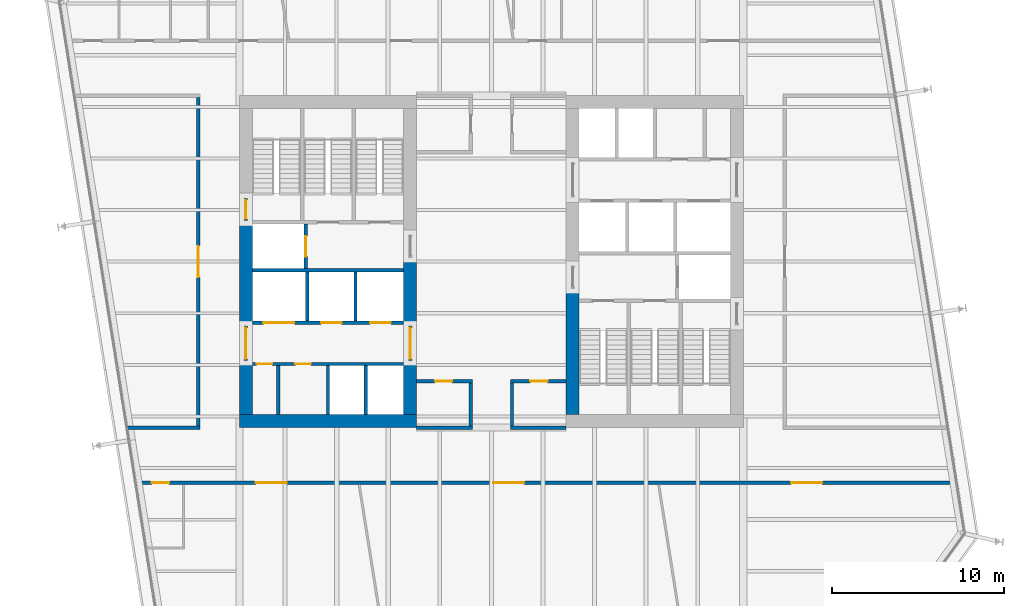
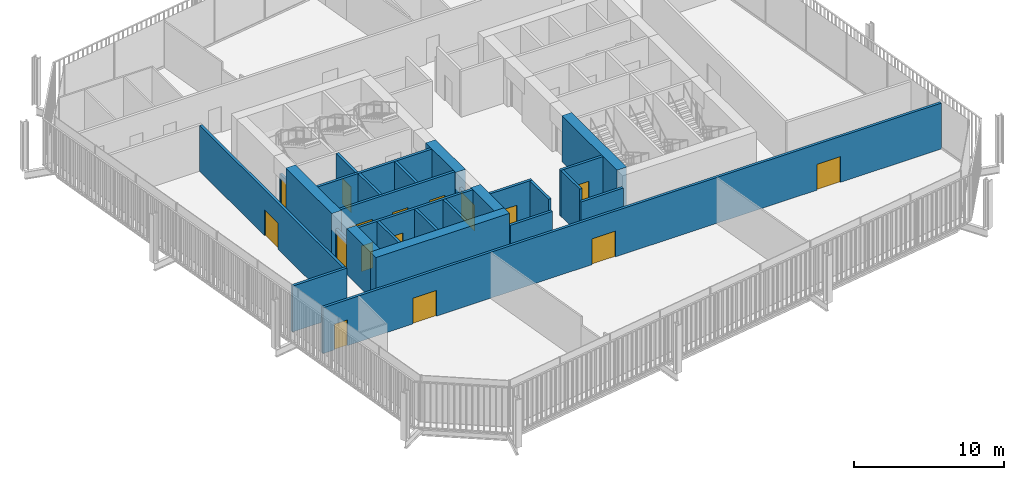
# One storey, part 17 of 21: 27 walls, 16 doors, 16 openings.
"""IFC4 building model written with IfcOpenShell, lengths in metres."""

from ifc_helpers import new_model, si_unit, direction, frame, frame_2d, origin, place, context, subcontext, project, spatial, rectangle, extrude, material, layer, layer_set, type_object, element, fill, save


model = new_model("IFC4")

# Units and contexts
model_context = context("Model", 3, precision=1e-05, world=origin(), true_north=direction((0.0, 1.0)))
body_context = subcontext(model_context, "Body", "Model", "MODEL_VIEW")
ifc_project = project(units=[si_unit("LENGTHUNIT", "METRE"), si_unit("AREAUNIT", "SQUARE_METRE"), si_unit("VOLUMEUNIT", "CUBIC_METRE"), si_unit("PLANEANGLEUNIT", "RADIAN"), si_unit("MASSUNIT", "GRAM", prefix="KILO")], contexts=[model_context])

# Site, building, storey
site_placement = place(None, origin())
site = spatial("IfcSite", under=ifc_project, at=site_placement, CompositionType="ELEMENT")
building_placement = place(site_placement, origin())
building = spatial("IfcBuilding", under=site, at=building_placement, Name="Millrace Tower", CompositionType="ELEMENT")
storey_placement = place(building_placement, frame((0.0, 0.0, 133.39990234375)))
storey = spatial("IfcBuildingStorey", under=building, at=storey_placement, Name="L29", CompositionType="ELEMENT", Elevation=133.39990234375)

# Walls
ifc_material_1 = material(Name="Concrete C70", Category="concrete")
ifc_layer_1 = layer(ifc_material_1, 0.75)
ifc_layer_set_1 = layer_set([ifc_layer_1], Name="Concrete C70")
wall_type_1 = type_object("IfcWallType", Name="Core wall 750 Concrete C70", PredefinedType="SHEAR", material=ifc_layer_set_1)
wall_1_placement = place(storey_placement, frame((-14.64990234375, -9.27490234375, 0.0), z_axis=(0.0, 0.0, 1.0), x_axis=(1.0, 0.0, 0.0)))
element("IfcWall", 1, at=wall_1_placement, inside=storey, type_object=wall_type_1, Name="Core wall W L29", PredefinedType="SHEAR", context=body_context, shape_type="SweptSolid", body=[
    extrude(rectangle(XDim=10.2998046875, YDim=0.75, at=frame_2d((5.14990234375, 0.0))), origin(), (0.0, 0.0, 1.0), 3.739990234375),
])
wall_2_placement = place(storey_placement, frame((-14.27490234375, -8.89990234375, 0.0), z_axis=(0.0, 0.0, 1.0), x_axis=(0.0, 1.0, 0.0)))
element("IfcWall", 2, at=wall_2_placement, inside=storey, type_object=wall_type_1, Name="Core wall W L29", PredefinedType="SHEAR", context=body_context, shape_type="SweptSolid", body=[
    extrude(rectangle(XDim=3.14990234375, YDim=0.75, at=frame_2d((1.574951171875, 0.0))), origin(), (0.0, 0.0, 1.0), 3.739990234375),
])
wall_3_placement = place(storey_placement, frame((-14.27490234375, -3.75, 0.0), z_axis=(0.0, 0.0, 1.0), x_axis=(0.0, 1.0, 0.0)))
element("IfcWall", 3, at=wall_3_placement, inside=storey, type_object=wall_type_1, Name="Core wall W L29", PredefinedType="SHEAR", context=body_context, shape_type="SweptSolid", body=[
    extrude(rectangle(XDim=6.1298828125, YDim=0.75, at=frame_2d((3.06494140625, 0.0))), origin(), (0.0, 0.0, 1.0), 3.739990234375),
])
wall_4_placement = place(storey_placement, frame((-4.72509765625, -8.89990234375, 0.0), z_axis=(0.0, 0.0, 1.0), x_axis=(0.0, 1.0, 0.0)))
element("IfcWall", 4, at=wall_4_placement, inside=storey, type_object=wall_type_1, Name="Core wall W L29", PredefinedType="SHEAR", context=body_context, shape_type="SweptSolid", body=[
    extrude(rectangle(XDim=3.14990234375, YDim=0.75, at=frame_2d((1.574951171875, 0.0))), origin(), (0.0, 0.0, 1.0), 3.739990234375),
])
wall_5_placement = place(storey_placement, frame((-4.72509765625, -3.75, 0.0), z_axis=(0.0, 0.0, 1.0), x_axis=(0.0, 1.0, 0.0)))
element("IfcWall", 5, at=wall_5_placement, inside=storey, type_object=wall_type_1, Name="Core wall W L29", PredefinedType="SHEAR", context=body_context, shape_type="SweptSolid", body=[
    extrude(rectangle(XDim=4.0, YDim=0.75, at=frame_2d((2.0, 0.0))), origin(), (0.0, 0.0, 1.0), 3.739990234375),
])
wall_6_placement = place(storey_placement, frame((4.72509765625, -1.550048828125, 0.0), z_axis=(0.0, 0.0, 1.0), x_axis=(0.0, -1.0, 0.0)))
element("IfcWall", 6, at=wall_6_placement, inside=storey, type_object=wall_type_1, Name="Core wall E L29", PredefinedType="SHEAR", context=body_context, shape_type="SweptSolid", body=[
    extrude(rectangle(XDim=7.349853515625, YDim=0.75, at=frame_2d((3.6748046875, 0.0))), origin(), (0.0, 0.0, 1.0), 3.739990234375),
])

# Wall, openings, doors
ifc_material_2 = material(Name="Masonry partition, fire-rated", Category="masonry")
ifc_layer_2 = layer(ifc_material_2, 0.199951171875)
ifc_layer_set_2 = layer_set([ifc_layer_2], Name="Masonry partition, fire-rated")
wall_type_2 = type_object("IfcWallType", Name="Corridor wall 200", PredefinedType="PARTITIONING", material=ifc_layer_set_2)
wall_7_placement = place(storey_placement, frame((-20.6435546875, -12.85009765625, 0.0), z_axis=(0.0, 0.0, 1.0), x_axis=(1.0, 0.0, 0.0)))
wall_7 = element("IfcWall", 7, at=wall_7_placement, inside=storey, type_object=wall_type_2, Name="Corridor wall L29", PredefinedType="PARTITIONING", context=body_context, shape_type="SweptSolid", body=[
    extrude(rectangle(XDim=47.646728515625, YDim=0.199951171875, at=frame_2d((23.8232421875, 0.0))), origin(), (0.0, 0.0, 1.0), 3.739990234375),
])
opening_1_placement = place(wall_7_placement, frame((6.945068359375, 0.0, 0.0)))
opening_1 = element("IfcOpeningElement", 8, at=opening_1_placement, cuts=wall_7, Name="Opening 29-P013", PredefinedType="OPENING", context=body_context, shape_type="SweptSolid", body=[
    extrude(rectangle(XDim=1.800048828125, YDim=2.10009765625, at=frame_2d((0.89990234375, 1.050048828125))), frame((0.0, 0.10986328125, 0.0), z_axis=(0.0, -1.0, 0.0), x_axis=(1.0, 0.0, 0.0)), (0.0, 0.0, 1.0), 0.219970703125),
])
opening_2_placement = place(wall_7_placement, frame((0.900390625, 0.0, 0.0)))
opening_2 = element("IfcOpeningElement", 9, at=opening_2_placement, cuts=wall_7, Name="Opening 29-P014", PredefinedType="OPENING", context=body_context, shape_type="SweptSolid", body=[
    extrude(rectangle(XDim=1.0, YDim=2.10009765625, at=frame_2d((0.5, 1.050048828125))), frame((0.0, 0.10986328125, 0.0), z_axis=(0.0, -1.0, 0.0), x_axis=(1.0, 0.0, 0.0)), (0.0, 0.0, 1.0), 0.219970703125),
])
opening_3_placement = place(wall_7_placement, frame((20.74658203125, 0.0, 0.0)))
opening_3 = element("IfcOpeningElement", 10, at=opening_3_placement, cuts=wall_7, Name="Opening 29-P015", PredefinedType="OPENING", context=body_context, shape_type="SweptSolid", body=[
    extrude(rectangle(XDim=1.800048828125, YDim=2.10009765625, at=frame_2d((0.89990234375, 1.050048828125))), frame((0.0, 0.10986328125, 0.0), z_axis=(0.0, -1.0, 0.0), x_axis=(1.0, 0.0, 0.0)), (0.0, 0.0, 1.0), 0.219970703125),
])
opening_4_placement = place(wall_7_placement, frame((38.074462890625, 0.0, 0.0)))
opening_4 = element("IfcOpeningElement", 11, at=opening_4_placement, cuts=wall_7, Name="Opening 29-P016", PredefinedType="OPENING", context=body_context, shape_type="SweptSolid", body=[
    extrude(rectangle(XDim=1.800048828125, YDim=2.10009765625, at=frame_2d((0.89990234375, 1.050048828125))), frame((0.0, 0.10986328125, 0.0), z_axis=(0.0, -1.0, 0.0), x_axis=(1.0, 0.0, 0.0)), (0.0, 0.0, 1.0), 0.219970703125),
])
ifc_material_3 = material(Name="Steel door set, fire-rated", Category="steel")
door_type_1 = type_object("IfcDoorType", Name="Corridor door 1000 x 2100", OperationType="SINGLE_SWING_LEFT", PredefinedType="DOOR", material=ifc_material_3)
door_1_placement = place(opening_2_placement, frame((1.0, 0.0, 0.0), z_axis=(0.0, 0.0, 1.0), x_axis=(-1.0, 0.0, 0.0)))
door_1 = element("IfcDoor", 12, at=door_1_placement, inside=storey, type_object=door_type_1, Name="Door 29-P014", OperationType="SINGLE_SWING_RIGHT", OverallHeight=2.10009765625, OverallWidth=1.0, PredefinedType="DOOR", context=body_context, shape_type="SweptSolid", body=[
    extrude(rectangle(XDim=1.0, YDim=2.10009765625, at=frame_2d((0.5, 1.050048828125))), frame((0.0, 0.02490234375, 0.0), z_axis=(0.0, -1.0, 0.0), x_axis=(1.0, 0.0, 0.0)), (0.0, 0.0, 1.0), 0.050048828125),
])
fill(opening_2, door_1)
ifc_material_4 = material(Name="Steel door set, fire-rated", Category="steel")
door_type_2 = type_object("IfcDoorType", Name="Corridor door 1800 x 2100", OperationType="DOUBLE_DOOR_SINGLE_SWING", PredefinedType="DOOR", material=ifc_material_4)
door_2_placement = place(opening_1_placement, origin())
door_2 = element("IfcDoor", 13, at=door_2_placement, inside=storey, type_object=door_type_2, Name="Door 29-P013", OperationType="DOUBLE_DOOR_SINGLE_SWING", OverallHeight=2.10009765625, OverallWidth=1.800048828125, PredefinedType="DOOR", context=body_context, shape_type="SweptSolid", body=[
    extrude(rectangle(XDim=1.800048828125, YDim=2.10009765625, at=frame_2d((0.89990234375, 1.050048828125))), frame((0.0, 0.02490234375, 0.0), z_axis=(0.0, -1.0, 0.0), x_axis=(1.0, 0.0, 0.0)), (0.0, 0.0, 1.0), 0.050048828125),
])
fill(opening_1, door_2)
door_3_placement = place(opening_3_placement, origin())
door_3 = element("IfcDoor", 14, at=door_3_placement, inside=storey, type_object=door_type_2, Name="Door 29-P015", OperationType="DOUBLE_DOOR_SINGLE_SWING", OverallHeight=2.10009765625, OverallWidth=1.800048828125, PredefinedType="DOOR", context=body_context, shape_type="SweptSolid", body=[
    extrude(rectangle(XDim=1.800048828125, YDim=2.10009765625, at=frame_2d((0.89990234375, 1.050048828125))), frame((0.0, 0.02490234375, 0.0), z_axis=(0.0, -1.0, 0.0), x_axis=(1.0, 0.0, 0.0)), (0.0, 0.0, 1.0), 0.050048828125),
])
fill(opening_3, door_3)
door_4_placement = place(opening_4_placement, frame((1.800048828125, 0.0, 0.0), z_axis=(0.0, 0.0, 1.0), x_axis=(-1.0, 0.0, 0.0)))
door_4 = element("IfcDoor", 15, at=door_4_placement, inside=storey, type_object=door_type_2, Name="Door 29-P016", OperationType="DOUBLE_DOOR_SINGLE_SWING", OverallHeight=2.10009765625, OverallWidth=1.800048828125, PredefinedType="DOOR", context=body_context, shape_type="SweptSolid", body=[
    extrude(rectangle(XDim=1.800048828125, YDim=2.10009765625, at=frame_2d((0.89990234375, 1.050048828125))), frame((0.0, 0.02490234375, 0.0), z_axis=(0.0, -1.0, 0.0), x_axis=(1.0, 0.0, 0.0)), (0.0, 0.0, 1.0), 0.050048828125),
])
fill(opening_4, door_4)

# Walls
wall_8_placement = place(storey_placement, frame((-21.150390625, -9.64990234375, 0.0), z_axis=(0.0, 0.0, 1.0), x_axis=(1.0, 0.0, 0.0)))
element("IfcWall", 16, at=wall_8_placement, inside=storey, type_object=wall_type_2, Name="Corridor wall L29", PredefinedType="PARTITIONING", context=body_context, shape_type="SweptSolid", body=[
    extrude(rectangle(XDim=4.200439453125, YDim=0.199951171875, at=frame_2d((2.10009765625, 0.0))), origin(), (0.0, 0.0, 1.0), 3.739990234375),
])
for number, where, z_axis, x_axis, name in (
    (17, (-4.35009765625, -9.64990234375, 0.0), (0.0, 0.0, 1.0), (1.0, 0.0, 0.0), "Corridor wall L29"),
    (18, (1.10009765625, -9.64990234375, 0.0), (0.0, 0.0, 1.0), (1.0, 0.0, 0.0), "Corridor wall L29"),
):
    element("IfcWall", number, at=place(storey_placement, frame(where, z_axis=z_axis, x_axis=x_axis)), inside=storey, type_object=wall_type_2, Name=name, PredefinedType="PARTITIONING", context=body_context, shape_type="SweptSolid", body=[
        extrude(rectangle(XDim=3.25, YDim=0.199951171875, at=frame_2d((1.625, 0.0))), origin(), (0.0, 0.0, 1.0), 2.81298828125),
    ])

# Wall, opening, door
wall_9_placement = place(storey_placement, frame((-4.35009765625, -6.949951171875, 0.0), z_axis=(0.0, 0.0, 1.0), x_axis=(1.0, 0.0, 0.0)))
wall_9 = element("IfcWall", 19, at=wall_9_placement, inside=storey, type_object=wall_type_2, Name="Corridor wall L29", PredefinedType="PARTITIONING", context=body_context, shape_type="SweptSolid", body=[
    extrude(rectangle(XDim=3.25, YDim=0.199951171875, at=frame_2d((1.625, 0.0))), origin(), (0.0, 0.0, 1.0), 3.739990234375),
])
opening_5_placement = place(wall_9_placement, frame((1.074951171875, 0.0, 0.0)))
opening_5 = element("IfcOpeningElement", 20, at=opening_5_placement, cuts=wall_9, Name="Opening 29-P003", PredefinedType="OPENING", context=body_context, shape_type="SweptSolid", body=[
    extrude(rectangle(XDim=1.0, YDim=2.10009765625, at=frame_2d((0.5, 1.050048828125))), frame((0.0, 0.10986328125, 0.0), z_axis=(0.0, -1.0, 0.0), x_axis=(1.0, 0.0, 0.0)), (0.0, 0.0, 1.0), 0.219970703125),
])
door_5_placement = place(opening_5_placement, frame((1.0, 0.0, 0.0), z_axis=(0.0, 0.0, 1.0), x_axis=(-1.0, 0.0, 0.0)))
door_5 = element("IfcDoor", 21, at=door_5_placement, inside=storey, type_object=door_type_1, Name="Door 29-P003", OperationType="SINGLE_SWING_RIGHT", OverallHeight=2.10009765625, OverallWidth=1.0, PredefinedType="DOOR", context=body_context, shape_type="SweptSolid", body=[
    extrude(rectangle(XDim=1.0, YDim=2.10009765625, at=frame_2d((0.5, 1.050048828125))), frame((0.0, 0.02490234375, 0.0), z_axis=(0.0, -1.0, 0.0), x_axis=(1.0, 0.0, 0.0)), (0.0, 0.0, 1.0), 0.050048828125),
])
fill(opening_5, door_5)

wall_10_placement = place(storey_placement, frame((1.10009765625, -6.949951171875, 0.0), z_axis=(0.0, 0.0, 1.0), x_axis=(1.0, 0.0, 0.0)))
wall_10 = element("IfcWall", 22, at=wall_10_placement, inside=storey, type_object=wall_type_2, Name="Corridor wall L29", PredefinedType="PARTITIONING", context=body_context, shape_type="SweptSolid", body=[
    extrude(rectangle(XDim=3.25, YDim=0.199951171875, at=frame_2d((1.625, 0.0))), origin(), (0.0, 0.0, 1.0), 3.739990234375),
])
opening_6_placement = place(wall_10_placement, frame((1.175048828125, 0.0, 0.0)))
opening_6 = element("IfcOpeningElement", 23, at=opening_6_placement, cuts=wall_10, Name="Opening 29-P004", PredefinedType="OPENING", context=body_context, shape_type="SweptSolid", body=[
    extrude(rectangle(XDim=1.0, YDim=2.10009765625, at=frame_2d((0.5, 1.050048828125))), frame((0.0, 0.10986328125, 0.0), z_axis=(0.0, -1.0, 0.0), x_axis=(1.0, 0.0, 0.0)), (0.0, 0.0, 1.0), 0.219970703125),
])
door_6_placement = place(opening_6_placement, frame((1.0, 0.0, 0.0), z_axis=(0.0, 0.0, 1.0), x_axis=(-1.0, 0.0, 0.0)))
door_6 = element("IfcDoor", 24, at=door_6_placement, inside=storey, type_object=door_type_1, Name="Door 29-P004", OperationType="SINGLE_SWING_RIGHT", OverallHeight=2.10009765625, OverallWidth=1.0, PredefinedType="DOOR", context=body_context, shape_type="SweptSolid", body=[
    extrude(rectangle(XDim=1.0, YDim=2.10009765625, at=frame_2d((0.5, 1.050048828125))), frame((0.0, 0.02490234375, 0.0), z_axis=(0.0, -1.0, 0.0), x_axis=(1.0, 0.0, 0.0)), (0.0, 0.0, 1.0), 0.050048828125),
])
fill(opening_6, door_6)

# Walls
for number, where, z_axis, x_axis, name in (
    (25, (1.199951171875, -9.550048828125, 0.0), (0.0, 0.0, 1.0), (0.0, 1.0, 0.0), "Corridor wall L29"),
    (26, (-1.199951171875, -9.550048828125, 0.0), (0.0, 0.0, 1.0), (0.0, 1.0, 0.0), "Corridor wall L29"),
):
    element("IfcWall", number, at=place(storey_placement, frame(where, z_axis=z_axis, x_axis=x_axis)), inside=storey, type_object=wall_type_2, Name=name, PredefinedType="PARTITIONING", context=body_context, shape_type="SweptSolid", body=[
        extrude(rectangle(XDim=2.5, YDim=0.199951171875, at=frame_2d((1.25, 0.0))), origin(), (0.0, 0.0, 1.0), 3.739990234375),
    ])

# Wall, opening, door
wall_11_placement = place(storey_placement, frame((-17.050048828125, -9.550048828125, 0.0), z_axis=(0.0, 0.0, 1.0), x_axis=(0.0, 1.0, 0.0)))
wall_11 = element("IfcWall", 27, at=wall_11_placement, inside=storey, type_object=wall_type_2, Name="Corridor wall L29", PredefinedType="PARTITIONING", context=body_context, shape_type="SweptSolid", body=[
    extrude(rectangle(XDim=19.10009765625, YDim=0.199951171875, at=frame_2d((9.550048828125, 0.0))), origin(), (0.0, 0.0, 1.0), 3.739990234375),
])
opening_7_placement = place(wall_11_placement, frame((8.64990234375, 0.0, 0.0)))
opening_7 = element("IfcOpeningElement", 28, at=opening_7_placement, cuts=wall_11, Name="Opening 29-P017", PredefinedType="OPENING", context=body_context, shape_type="SweptSolid", body=[
    extrude(rectangle(XDim=1.800048828125, YDim=2.10009765625, at=frame_2d((0.89990234375, 1.050048828125))), frame((0.0, 0.10986328125, 0.0), z_axis=(0.0, -1.0, 0.0), x_axis=(1.0, 0.0, 0.0)), (0.0, 0.0, 1.0), 0.219970703125),
])
door_7_placement = place(opening_7_placement, origin())
door_7 = element("IfcDoor", 29, at=door_7_placement, inside=storey, type_object=door_type_2, Name="Door 29-P017", OperationType="DOUBLE_DOOR_SINGLE_SWING", OverallHeight=2.10009765625, OverallWidth=1.800048828125, PredefinedType="DOOR", context=body_context, shape_type="SweptSolid", body=[
    extrude(rectangle(XDim=1.800048828125, YDim=2.10009765625, at=frame_2d((0.89990234375, 1.050048828125))), frame((0.0, 0.02490234375, 0.0), z_axis=(0.0, -1.0, 0.0), x_axis=(1.0, 0.0, 0.0)), (0.0, 0.0, 1.0), 0.050048828125),
])
fill(opening_7, door_7)

# Wall, openings, doors
ifc_material_5 = material(Name="Masonry partition, fire-rated", Category="masonry")
ifc_layer_3 = layer(ifc_material_5, 0.199951171875)
ifc_layer_set_3 = layer_set([ifc_layer_3], Name="Masonry partition, fire-rated")
wall_type_3 = type_object("IfcWallType", Name="Lift shaft wall 200", PredefinedType="PARTITIONING", material=ifc_layer_set_3)
wall_12_placement = place(storey_placement, frame((-13.89990234375, -5.949951171875, 0.0), z_axis=(0.0, 0.0, 1.0), x_axis=(1.0, 0.0, 0.0)))
wall_12 = element("IfcWall", 30, at=wall_12_placement, inside=storey, type_object=wall_type_3, Name="Lift shaft wall W L29", PredefinedType="PARTITIONING", context=body_context, shape_type="SweptSolid", body=[
    extrude(rectangle(XDim=8.7998046875, YDim=0.199951171875, at=frame_2d((4.39990234375, 0.0))), origin(), (0.0, 0.0, 1.0), 3.739990234375),
])
opening_8_placement = place(wall_12_placement, frame((0.25244140625, 0.0, 0.0)))
opening_8 = element("IfcOpeningElement", 31, at=opening_8_placement, cuts=wall_12, Name="Opening 29-C005", PredefinedType="OPENING", context=body_context, shape_type="SweptSolid", body=[
    extrude(rectangle(XDim=0.89990234375, YDim=2.10009765625, at=frame_2d((0.449951171875, 1.050048828125))), frame((0.0, 0.10986328125, 0.0), z_axis=(0.0, -1.0, 0.0), x_axis=(1.0, 0.0, 0.0)), (0.0, 0.0, 1.0), 0.219970703125),
])
opening_9_placement = place(wall_12_placement, frame((2.50244140625, 0.0, 0.0)))
opening_9 = element("IfcOpeningElement", 32, at=opening_9_placement, cuts=wall_12, Name="Opening 29-C006", PredefinedType="OPENING", context=body_context, shape_type="SweptSolid", body=[
    extrude(rectangle(XDim=0.89990234375, YDim=2.10009765625, at=frame_2d((0.449951171875, 1.050048828125))), frame((0.0, 0.10986328125, 0.0), z_axis=(0.0, -1.0, 0.0), x_axis=(1.0, 0.0, 0.0)), (0.0, 0.0, 1.0), 0.219970703125),
])
ifc_material_6 = material(Name="Steel door, fire-rated", Category="steel")
door_type_3 = type_object("IfcDoorType", Name="Service room door 900 x 2100", OperationType="SINGLE_SWING_LEFT", PredefinedType="DOOR", material=ifc_material_6)
door_8_placement = place(opening_8_placement, frame((0.89990234375, 0.0, 0.0), z_axis=(0.0, 0.0, 1.0), x_axis=(-1.0, 0.0, 0.0)))
door_8 = element("IfcDoor", 33, at=door_8_placement, inside=storey, type_object=door_type_3, Name="Service room door 29-C005", OperationType="SINGLE_SWING_RIGHT", OverallHeight=2.10009765625, OverallWidth=0.89990234375, PredefinedType="DOOR", context=body_context, shape_type="SweptSolid", body=[
    extrude(rectangle(XDim=0.89990234375, YDim=2.10009765625, at=frame_2d((0.449951171875, 1.050048828125))), frame((0.0, 0.02490234375, 0.0), z_axis=(0.0, -1.0, 0.0), x_axis=(1.0, 0.0, 0.0)), (0.0, 0.0, 1.0), 0.050048828125),
])
fill(opening_8, door_8)
door_9_placement = place(opening_9_placement, frame((0.89990234375, 0.0, 0.0), z_axis=(0.0, 0.0, 1.0), x_axis=(-1.0, 0.0, 0.0)))
door_9 = element("IfcDoor", 34, at=door_9_placement, inside=storey, type_object=door_type_3, Name="Service room door 29-C006", OperationType="SINGLE_SWING_RIGHT", OverallHeight=2.10009765625, OverallWidth=0.89990234375, PredefinedType="DOOR", context=body_context, shape_type="SweptSolid", body=[
    extrude(rectangle(XDim=0.89990234375, YDim=2.10009765625, at=frame_2d((0.449951171875, 1.050048828125))), frame((0.0, 0.02490234375, 0.0), z_axis=(0.0, -1.0, 0.0), x_axis=(1.0, 0.0, 0.0)), (0.0, 0.0, 1.0), 0.050048828125),
])
fill(opening_9, door_9)

wall_13_placement = place(storey_placement, frame((-13.89990234375, -3.550048828125, 0.0), z_axis=(0.0, 0.0, 1.0), x_axis=(1.0, 0.0, 0.0)))
wall_13 = element("IfcWall", 35, at=wall_13_placement, inside=storey, type_object=wall_type_3, Name="Lift shaft wall W L29", PredefinedType="PARTITIONING", context=body_context, shape_type="SweptSolid", body=[
    extrude(rectangle(XDim=8.7998046875, YDim=0.199951171875, at=frame_2d((4.39990234375, 0.0))), origin(), (0.0, 0.0, 1.0), 3.739990234375),
])
opening_10_placement = place(wall_13_placement, frame((0.64990234375, 0.0, 0.0)))
opening_10 = element("IfcOpeningElement", 36, at=opening_10_placement, cuts=wall_13, Name="Opening 29-LD05", PredefinedType="OPENING", context=body_context, shape_type="SweptSolid", body=[
    extrude(rectangle(XDim=1.800048828125, YDim=2.10009765625, at=frame_2d((0.89990234375, 1.050048828125))), frame((0.0, 0.10986328125, 0.0), z_axis=(0.0, -1.0, 0.0), x_axis=(1.0, 0.0, 0.0)), (0.0, 0.0, 1.0), 0.219970703125),
])
opening_11_placement = place(wall_13_placement, frame((4.0, 0.0, 0.0)))
opening_11 = element("IfcOpeningElement", 37, at=opening_11_placement, cuts=wall_13, Name="Opening 29-LD06", PredefinedType="OPENING", context=body_context, shape_type="SweptSolid", body=[
    extrude(rectangle(XDim=1.199951171875, YDim=2.10009765625, at=frame_2d((0.60009765625, 1.050048828125))), frame((0.0, 0.10986328125, 0.0), z_axis=(0.0, -1.0, 0.0), x_axis=(1.0, 0.0, 0.0)), (0.0, 0.0, 1.0), 0.219970703125),
])
opening_12_placement = place(wall_13_placement, frame((6.85009765625, 0.0, 0.0)))
opening_12 = element("IfcOpeningElement", 38, at=opening_12_placement, cuts=wall_13, Name="Opening 29-LD07", PredefinedType="OPENING", context=body_context, shape_type="SweptSolid", body=[
    extrude(rectangle(XDim=1.199951171875, YDim=2.10009765625, at=frame_2d((0.60009765625, 1.050048828125))), frame((0.0, 0.10986328125, 0.0), z_axis=(0.0, -1.0, 0.0), x_axis=(1.0, 0.0, 0.0)), (0.0, 0.0, 1.0), 0.219970703125),
])
ifc_material_7 = material(Name="Stainless steel, fire-rated", Category="steel")
door_type_4 = type_object("IfcDoorType", Name="Lift landing door 1200 x 2100", OperationType="DOUBLE_DOOR_SLIDING", PredefinedType="DOOR", material=ifc_material_7)
door_10_placement = place(opening_11_placement, origin())
door_10 = element("IfcDoor", 39, at=door_10_placement, inside=storey, type_object=door_type_4, Name="Lift landing door LF6 L29", OperationType="DOUBLE_DOOR_SLIDING", OverallHeight=2.10009765625, OverallWidth=1.199951171875, PredefinedType="DOOR", context=body_context, shape_type="SweptSolid", body=[
    extrude(rectangle(XDim=1.199951171875, YDim=2.10009765625, at=frame_2d((0.60009765625, 1.050048828125))), frame((0.0, 0.02490234375, 0.0), z_axis=(0.0, -1.0, 0.0), x_axis=(1.0, 0.0, 0.0)), (0.0, 0.0, 1.0), 0.050048828125),
])
fill(opening_11, door_10)
door_11_placement = place(opening_12_placement, origin())
door_11 = element("IfcDoor", 40, at=door_11_placement, inside=storey, type_object=door_type_4, Name="Lift landing door LF7 L29", OperationType="DOUBLE_DOOR_SLIDING", OverallHeight=2.10009765625, OverallWidth=1.199951171875, PredefinedType="DOOR", context=body_context, shape_type="SweptSolid", body=[
    extrude(rectangle(XDim=1.199951171875, YDim=2.10009765625, at=frame_2d((0.60009765625, 1.050048828125))), frame((0.0, 0.02490234375, 0.0), z_axis=(0.0, -1.0, 0.0), x_axis=(1.0, 0.0, 0.0)), (0.0, 0.0, 1.0), 0.050048828125),
])
fill(opening_12, door_11)
ifc_material_8 = material(Name="Stainless steel, fire-rated", Category="steel")
door_type_5 = type_object("IfcDoorType", Name="Lift landing door 1800 x 2100", OperationType="DOUBLE_DOOR_SLIDING", PredefinedType="DOOR", material=ifc_material_8)
door_12_placement = place(opening_10_placement, origin())
door_12 = element("IfcDoor", 41, at=door_12_placement, inside=storey, type_object=door_type_5, Name="Lift landing door LF5 L29", OperationType="DOUBLE_DOOR_SLIDING", OverallHeight=2.10009765625, OverallWidth=1.800048828125, PredefinedType="DOOR", context=body_context, shape_type="SweptSolid", body=[
    extrude(rectangle(XDim=1.800048828125, YDim=2.10009765625, at=frame_2d((0.89990234375, 1.050048828125))), frame((0.0, 0.02490234375, 0.0), z_axis=(0.0, -1.0, 0.0), x_axis=(1.0, 0.0, 0.0)), (0.0, 0.0, 1.0), 0.050048828125),
])
fill(opening_10, door_12)

# Wall
wall_14_placement = place(storey_placement, frame((-13.89990234375, -0.5, 0.0), z_axis=(0.0, 0.0, 1.0), x_axis=(1.0, 0.0, 0.0)))
element("IfcWall", 42, at=wall_14_placement, inside=storey, type_object=wall_type_3, Name="Lift shaft wall W L29", PredefinedType="PARTITIONING", context=body_context, shape_type="SweptSolid", body=[
    extrude(rectangle(XDim=8.7998046875, YDim=0.199951171875, at=frame_2d((4.39990234375, 0.0))), origin(), (0.0, 0.0, 1.0), 3.739990234375),
])

# Wall, opening, door
wall_15_placement = place(storey_placement, frame((-10.800048828125, -0.39990234375, 0.0), z_axis=(0.0, 0.0, 1.0), x_axis=(0.0, 1.0, 0.0)))
wall_15 = element("IfcWall", 43, at=wall_15_placement, inside=storey, type_object=wall_type_3, Name="Lift shaft wall W L29", PredefinedType="PARTITIONING", context=body_context, shape_type="SweptSolid", body=[
    extrude(rectangle(XDim=2.579833984375, YDim=0.199951171875, at=frame_2d((1.2900390625, 0.0))), origin(), (0.0, 0.0, 1.0), 3.739990234375),
])
opening_13_placement = place(wall_15_placement, frame((0.68994140625, 0.0, 0.0)))
opening_13 = element("IfcOpeningElement", 44, at=opening_13_placement, cuts=wall_15, Name="Opening 29-LD08", PredefinedType="OPENING", context=body_context, shape_type="SweptSolid", body=[
    extrude(rectangle(XDim=1.199951171875, YDim=2.10009765625, at=frame_2d((0.60009765625, 1.050048828125))), frame((0.0, 0.10986328125, 0.0), z_axis=(0.0, -1.0, 0.0), x_axis=(1.0, 0.0, 0.0)), (0.0, 0.0, 1.0), 0.219970703125),
])
door_13_placement = place(opening_13_placement, origin())
door_13 = element("IfcDoor", 45, at=door_13_placement, inside=storey, type_object=door_type_4, Name="Lift landing door LF8 L29", OperationType="DOUBLE_DOOR_SLIDING", OverallHeight=2.10009765625, OverallWidth=1.199951171875, PredefinedType="DOOR", context=body_context, shape_type="SweptSolid", body=[
    extrude(rectangle(XDim=1.199951171875, YDim=2.10009765625, at=frame_2d((0.60009765625, 1.050048828125))), frame((0.0, 0.02490234375, 0.0), z_axis=(0.0, -1.0, 0.0), x_axis=(1.0, 0.0, 0.0)), (0.0, 0.0, 1.0), 0.050048828125),
])
fill(opening_13, door_13)

# Walls
for number, where, z_axis, x_axis, name in (
    (46, (-9.5, -8.89990234375, 0.0), (0.0, 0.0, 1.0), (0.0, 1.0, 0.0), "Lift shaft wall W L29"),
    (47, (-7.300048828125, -8.89990234375, 0.0), (0.0, 0.0, 1.0), (0.0, 1.0, 0.0), "Lift shaft wall W L29"),
    (48, (-10.699951171875, -3.449951171875, 0.0), (0.0, 0.0, 1.0), (0.0, 1.0, 0.0), "Lift shaft wall W L29"),
    (49, (-7.89990234375, -3.449951171875, 0.0), (0.0, 0.0, 1.0), (0.0, 1.0, 0.0), "Lift shaft wall W L29"),
):
    element("IfcWall", number, at=place(storey_placement, frame(where, z_axis=z_axis, x_axis=x_axis)), inside=storey, type_object=wall_type_3, Name=name, PredefinedType="PARTITIONING", context=body_context, shape_type="SweptSolid", body=[
        extrude(rectangle(XDim=2.849853515625, YDim=0.199951171875, at=frame_2d((1.4248046875, 0.0))), origin(), (0.0, 0.0, 1.0), 3.739990234375),
    ])

# Wall, opening, door
ifc_material_9 = material(Name="Masonry partition, fire-rated", Category="masonry")
ifc_layer_4 = layer(ifc_material_9, 0.199951171875)
ifc_layer_set_4 = layer_set([ifc_layer_4], Name="Masonry partition, fire-rated")
wall_type_4 = type_object("IfcWallType", Name="Lobby wall 200", PredefinedType="PARTITIONING", material=ifc_layer_set_4)
wall_16_placement = place(storey_placement, frame((-14.27490234375, -5.75, 0.0), z_axis=(0.0, 0.0, 1.0), x_axis=(0.0, 1.0, 0.0)))
wall_16 = element("IfcWall", 50, at=wall_16_placement, inside=storey, type_object=wall_type_4, Name="Lobby wall W L29", PredefinedType="PARTITIONING", context=body_context, shape_type="SweptSolid", body=[
    extrude(rectangle(XDim=2.0, YDim=0.199951171875, at=frame_2d((1.0, 0.0))), origin(), (0.0, 0.0, 1.0), 2.400146484375),
])
opening_14_placement = place(wall_16_placement, frame((0.10009765625, 0.0, 0.0)))
opening_14 = element("IfcOpeningElement", 51, at=opening_14_placement, cuts=wall_16, Name="Opening 29-C001", PredefinedType="OPENING", context=body_context, shape_type="SweptSolid", body=[
    extrude(rectangle(XDim=1.800048828125, YDim=2.10009765625, at=frame_2d((0.89990234375, 1.050048828125))), frame((0.0, 0.10986328125, 0.0), z_axis=(0.0, -1.0, 0.0), x_axis=(1.0, 0.0, 0.0)), (0.0, 0.0, 1.0), 0.219970703125),
])
ifc_material_10 = material(Name="Steel door, fire-rated", Category="steel")
door_type_6 = type_object("IfcDoorType", Name="Lobby door 1800 x 2100", OperationType="DOUBLE_DOOR_SINGLE_SWING", PredefinedType="DOOR", material=ifc_material_10)
door_14_placement = place(opening_14_placement, origin())
door_14 = element("IfcDoor", 52, at=door_14_placement, inside=storey, type_object=door_type_6, Name="Lobby door 29-C001", OperationType="DOUBLE_DOOR_SINGLE_SWING", OverallHeight=2.10009765625, OverallWidth=1.800048828125, PredefinedType="DOOR", context=body_context, shape_type="SweptSolid", body=[
    extrude(rectangle(XDim=1.800048828125, YDim=2.10009765625, at=frame_2d((0.89990234375, 1.050048828125))), frame((0.0, 0.02490234375, 0.0), z_axis=(0.0, -1.0, 0.0), x_axis=(1.0, 0.0, 0.0)), (0.0, 0.0, 1.0), 0.050048828125),
])
fill(opening_14, door_14)

wall_17_placement = place(storey_placement, frame((-4.72509765625, -5.75, 0.0), z_axis=(0.0, 0.0, 1.0), x_axis=(0.0, 1.0, 0.0)))
wall_17 = element("IfcWall", 53, at=wall_17_placement, inside=storey, type_object=wall_type_4, Name="Lobby wall W L29", PredefinedType="PARTITIONING", context=body_context, shape_type="SweptSolid", body=[
    extrude(rectangle(XDim=2.0, YDim=0.199951171875, at=frame_2d((1.0, 0.0))), origin(), (0.0, 0.0, 1.0), 2.400146484375),
])
opening_15_placement = place(wall_17_placement, frame((0.10009765625, 0.0, 0.0)))
opening_15 = element("IfcOpeningElement", 54, at=opening_15_placement, cuts=wall_17, Name="Opening 29-C003", PredefinedType="OPENING", context=body_context, shape_type="SweptSolid", body=[
    extrude(rectangle(XDim=1.800048828125, YDim=2.10009765625, at=frame_2d((0.89990234375, 1.050048828125))), frame((0.0, 0.10986328125, 0.0), z_axis=(0.0, -1.0, 0.0), x_axis=(1.0, 0.0, 0.0)), (0.0, 0.0, 1.0), 0.219970703125),
])
door_15_placement = place(opening_15_placement, origin())
door_15 = element("IfcDoor", 55, at=door_15_placement, inside=storey, type_object=door_type_6, Name="Lobby door 29-C003", OperationType="DOUBLE_DOOR_SINGLE_SWING", OverallHeight=2.10009765625, OverallWidth=1.800048828125, PredefinedType="DOOR", context=body_context, shape_type="SweptSolid", body=[
    extrude(rectangle(XDim=1.800048828125, YDim=2.10009765625, at=frame_2d((0.89990234375, 1.050048828125))), frame((0.0, 0.02490234375, 0.0), z_axis=(0.0, -1.0, 0.0), x_axis=(1.0, 0.0, 0.0)), (0.0, 0.0, 1.0), 0.050048828125),
])
fill(opening_15, door_15)

# Wall
ifc_material_11 = material(Name="Masonry partition, fire-rated", Category="masonry")
ifc_layer_5 = layer(ifc_material_11, 0.199951171875)
ifc_layer_set_5 = layer_set([ifc_layer_5], Name="Masonry partition, fire-rated")
wall_type_5 = type_object("IfcWallType", Name="Room partition 200", PredefinedType="PARTITIONING", material=ifc_layer_set_5)
wall_18_placement = place(storey_placement, frame((-12.39501953125, -8.89990234375, 0.0), z_axis=(0.0, 0.0, 1.0), x_axis=(0.0, 1.0, 0.0)))
element("IfcWall", 56, at=wall_18_placement, inside=storey, type_object=wall_type_5, Name="Room partition W L29", PredefinedType="PARTITIONING", context=body_context, shape_type="SweptSolid", body=[
    extrude(rectangle(XDim=2.849853515625, YDim=0.199951171875, at=frame_2d((1.4248046875, 0.0))), origin(), (0.0, 0.0, 1.0), 3.739990234375),
])

# Wall, opening, door
ifc_material_12 = material(Name="Concrete C40", Category="concrete")
ifc_layer_6 = layer(ifc_material_12, 0.199951171875)
ifc_layer_set_6 = layer_set([ifc_layer_6], Name="Concrete C40")
wall_type_6 = type_object("IfcWallType", Name="Stair enclosure wall 200 Concrete C40", PredefinedType="SHEAR", material=ifc_layer_set_6)
wall_19_placement = place(storey_placement, frame((-14.27490234375, 2.3798828125, 0.0), z_axis=(0.0, 0.0, 1.0), x_axis=(0.0, 1.0, 0.0)))
wall_19 = element("IfcWall", 57, at=wall_19_placement, inside=storey, type_object=wall_type_6, Name="Stair enclosure wall W L29", PredefinedType="SHEAR", context=body_context, shape_type="SweptSolid", body=[
    extrude(rectangle(XDim=1.300048828125, YDim=0.199951171875, at=frame_2d((0.64990234375, 0.0))), origin(), (0.0, 0.0, 1.0), 2.400146484375),
])
opening_16_placement = place(wall_19_placement, frame((0.10009765625, 0.0, 0.0)))
opening_16 = element("IfcOpeningElement", 58, at=opening_16_placement, cuts=wall_19, Name="Opening 29-C002", PredefinedType="OPENING", context=body_context, shape_type="SweptSolid", body=[
    extrude(rectangle(XDim=1.10009765625, YDim=2.10009765625, at=frame_2d((0.550048828125, 1.050048828125))), frame((0.0, 0.10986328125, 0.0), z_axis=(0.0, -1.0, 0.0), x_axis=(1.0, 0.0, 0.0)), (0.0, 0.0, 1.0), 0.219970703125),
])
ifc_material_13 = material(Name="Steel door, fire-rated", Category="steel")
door_type_7 = type_object("IfcDoorType", Name="Stair door 1100 x 2100", OperationType="SINGLE_SWING_LEFT", PredefinedType="DOOR", material=ifc_material_13)
door_16_placement = place(opening_16_placement, origin())
door_16 = element("IfcDoor", 59, at=door_16_placement, inside=storey, type_object=door_type_7, Name="Stair door 29-C002", OperationType="SINGLE_SWING_LEFT", OverallHeight=2.10009765625, OverallWidth=1.10009765625, PredefinedType="DOOR", context=body_context, shape_type="SweptSolid", body=[
    extrude(rectangle(XDim=1.10009765625, YDim=2.10009765625, at=frame_2d((0.550048828125, 1.050048828125))), frame((0.0, 0.02490234375, 0.0), z_axis=(0.0, -1.0, 0.0), x_axis=(1.0, 0.0, 0.0)), (0.0, 0.0, 1.0), 0.050048828125),
])
fill(opening_16, door_16)

save(model, "model.ifc")
